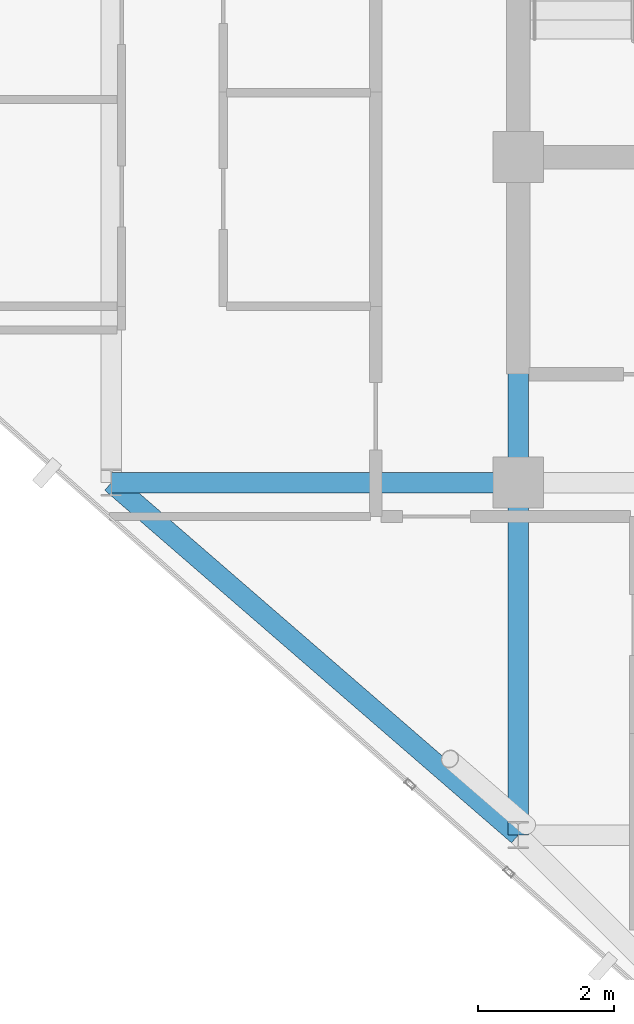
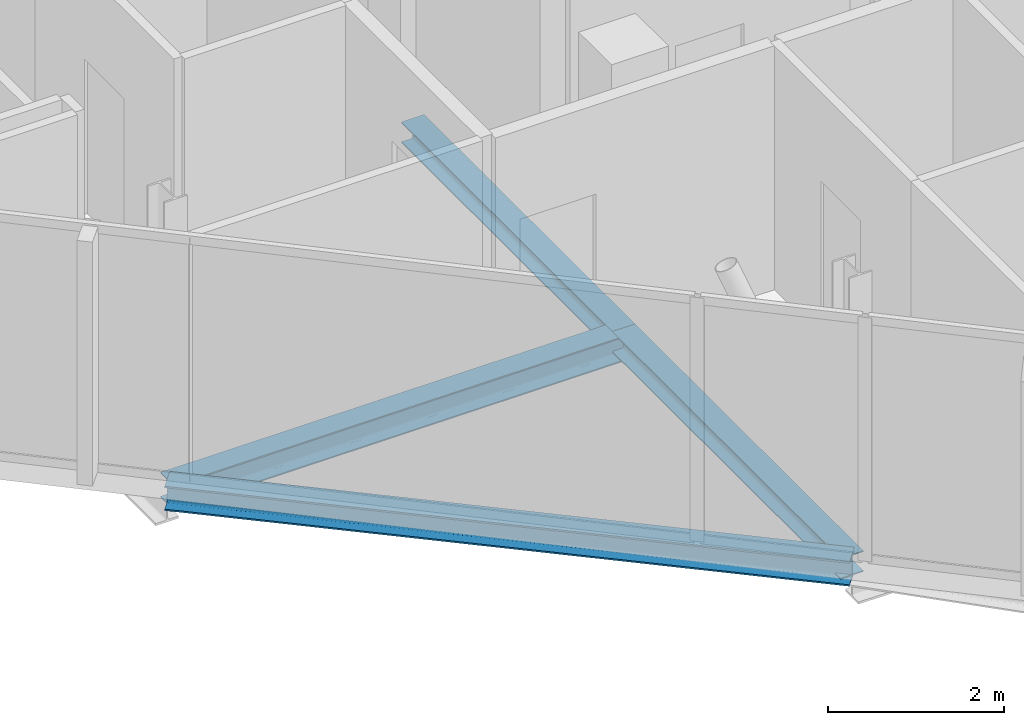
# One storey, part 5 of 28: 4 beams.
"""IFC4 building model written with IfcOpenShell, lengths in metres."""

from ifc_helpers import new_model, si_unit, direction, frame, origin, origin_2d, place, context, subcontext, project, spatial, i_section, extrude, material, material_profile, profile_set, type_object, element, save


model = new_model("IFC4")

# Units and contexts
model_context = context("Model", 3, precision=1e-05, world=origin(), true_north=direction((0.0, 1.0)))
body_context = subcontext(model_context, "Body", "Model", "MODEL_VIEW")
ifc_project = project(units=[si_unit("LENGTHUNIT", "METRE"), si_unit("AREAUNIT", "SQUARE_METRE"), si_unit("VOLUMEUNIT", "CUBIC_METRE"), si_unit("PLANEANGLEUNIT", "RADIAN"), si_unit("MASSUNIT", "GRAM", prefix="KILO")], contexts=[model_context])

# Site, building, storey
site_placement = place(None, origin())
site = spatial("IfcSite", under=ifc_project, at=site_placement, CompositionType="ELEMENT")
building_placement = place(site_placement, origin())
building = spatial("IfcBuilding", under=site, at=building_placement, Name="Keshet Zoharim Tower", CompositionType="ELEMENT")
storey_placement = place(building_placement, frame((0.0, 0.0, 265.800048828125)))
storey = spatial("IfcBuildingStorey", under=building, at=storey_placement, Name="L66", CompositionType="ELEMENT", Elevation=265.800048828125)

# Beams
ifc_material = material(Name="Steel S355", Category="steel")
ifc_material_profile_1 = material_profile(ifc_material, i_section(OverallWidth=0.300048828125, OverallDepth=0.2900390625, WebThickness=0.008544921875, FlangeThickness=0.013916015625, FilletRadius=0.027099609375, at=origin_2d()), Name="HEA300")
ifc_profile_set_1 = profile_set([ifc_material_profile_1], Name="Steel S355")
beam_type_1 = type_object("IfcBeamType", Name="BM-PRI-HA300", PredefinedType="BEAM", material=ifc_profile_set_1)
beam_1_placement = place(storey_placement, frame((15.0, 12.699951171875, -0.455078125), z_axis=(0.0, 1.0, 0.0), x_axis=(-1.0, 0.0, 0.0)))
element("IfcBeam", 1, at=beam_1_placement, inside=storey, type_object=beam_type_1, Name="L66 Primary Girder Y-002", PredefinedType="BEAM", context=body_context, shape_type="SweptSolid", body=[
    extrude(i_section(OverallWidth=0.300048828125, OverallDepth=0.2900390625, WebThickness=0.008544921875, FlangeThickness=0.013916015625, FilletRadius=0.027099609375, at=origin_2d()), origin(), (0.0, 0.0, 1.0), 5.199951171875),
])
beam_2_placement = place(storey_placement, frame((15.0, 17.89990234375, -0.455078125), z_axis=(0.0, 1.0, 0.0), x_axis=(-1.0, 0.0, 0.0)))
element("IfcBeam", 2, at=beam_2_placement, inside=storey, type_object=beam_type_1, Name="L66 Primary Girder Y-003", PredefinedType="BEAM", context=body_context, shape_type="SweptSolid", body=[
    extrude(i_section(OverallWidth=0.300048828125, OverallDepth=0.2900390625, WebThickness=0.008544921875, FlangeThickness=0.013916015625, FilletRadius=0.027099609375, at=origin_2d()), origin(), (0.0, 0.0, 1.0), 4.800048828125),
])
ifc_material_profile_2 = material_profile(ifc_material, i_section(OverallWidth=0.300048828125, OverallDepth=0.35009765625, WebThickness=0.010009765625, FlangeThickness=0.017578125, FilletRadius=0.027099609375, at=origin_2d()), Name="HEA360")
ifc_profile_set_2 = profile_set([ifc_material_profile_2], Name="Steel S355")
beam_type_2 = type_object("IfcBeamType", Name="BM-PRI-HA360", PredefinedType="BEAM", material=ifc_profile_set_2)
beam_3_placement = place(storey_placement, frame((9.0, 17.89990234375, -0.485107421875), z_axis=(1.0, 0.0, 0.0), x_axis=(0.0, 1.0, 0.0)))
element("IfcBeam", 3, at=beam_3_placement, inside=storey, type_object=beam_type_2, Name="L66 Primary Girder X-005", PredefinedType="BEAM", context=body_context, shape_type="SweptSolid", body=[
    extrude(i_section(OverallWidth=0.300048828125, OverallDepth=0.35009765625, WebThickness=0.010009765625, FlangeThickness=0.017578125, FilletRadius=0.027099609375, at=origin_2d()), origin(), (0.0, 0.0, 1.0), 6.0),
])
ifc_material_profile_3 = material_profile(ifc_material, i_section(OverallWidth=0.300048828125, OverallDepth=0.340087890625, WebThickness=0.011962890625, FlangeThickness=0.021484375, FilletRadius=0.027099609375, at=origin_2d()), Name="HEB340")
ifc_profile_set_3 = profile_set([ifc_material_profile_3], Name="Steel S355")
beam_type_3 = type_object("IfcBeamType", Name="BM-SPN-HB340", PredefinedType="SPANDREL", material=ifc_profile_set_3)
beam_4_placement = place(storey_placement, frame((9.0, 17.89990234375, -0.47998046875), z_axis=(0.755692126483, -0.654927026447, 0.0), x_axis=(0.654927026447, 0.755692126483, 0.0)))
element("IfcBeam", 4, at=beam_4_placement, inside=storey, type_object=beam_type_3, Name="L66 Perimeter Spandrel Beam 02", PredefinedType="SPANDREL", context=body_context, shape_type="SweptSolid", body=[
    extrude(i_section(OverallWidth=0.300048828125, OverallDepth=0.340087890625, WebThickness=0.011962890625, FlangeThickness=0.021484375, FilletRadius=0.027099609375, at=origin_2d()), origin(), (0.0, 0.0, 1.0), 7.939697265625),
])

save(model, "model.ifc")
